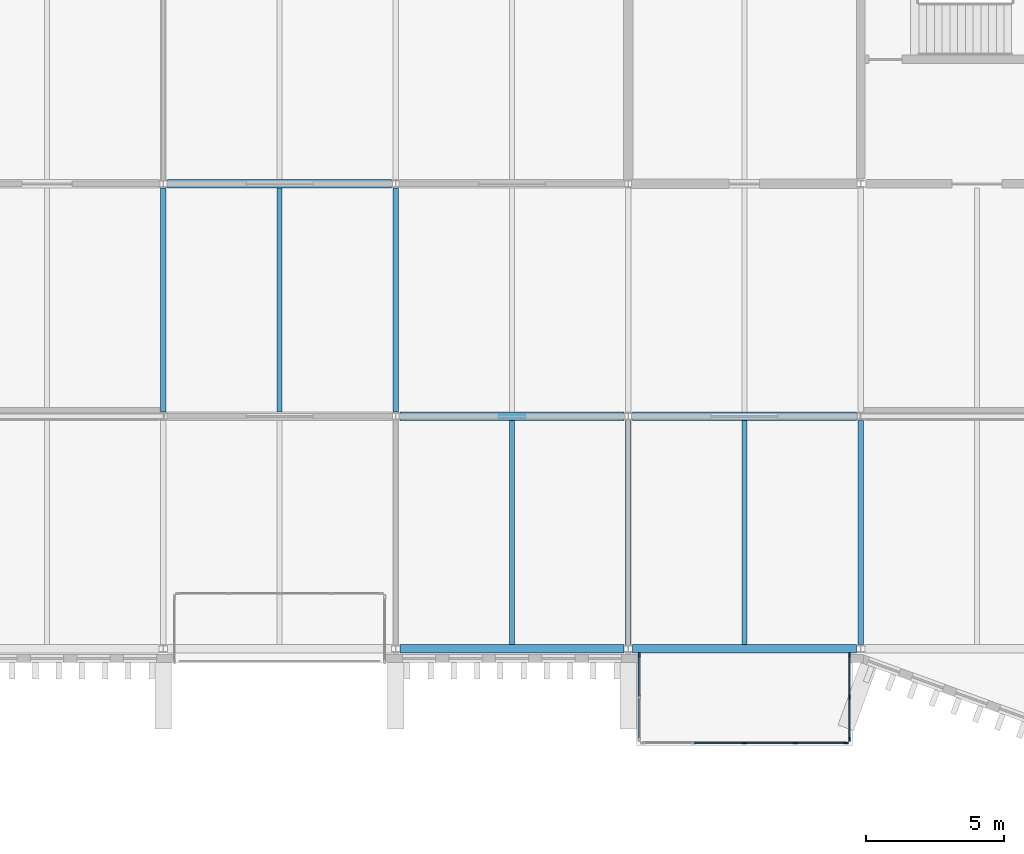
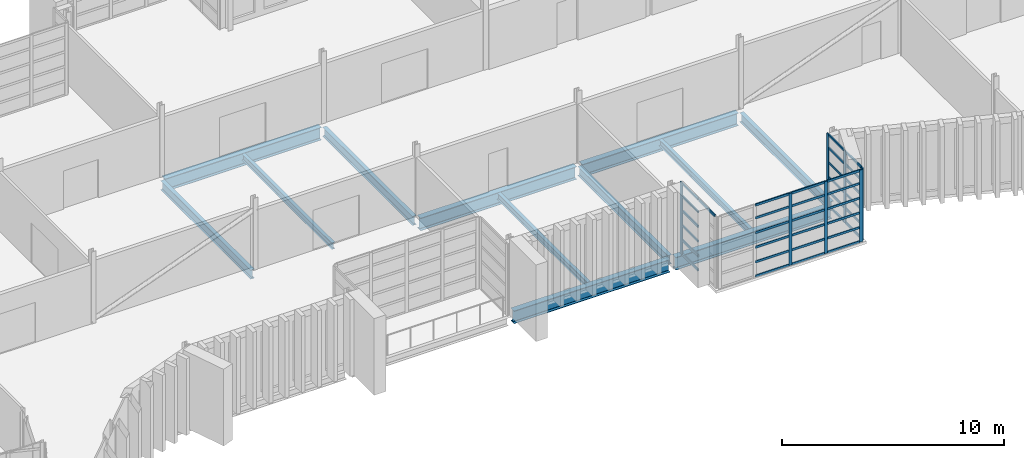
# One storey, part 25 of 88: 44 members, 12 beams, 3 elements without a shape of their own.
"""IFC4 building model written with IfcOpenShell, lengths in metres."""

from ifc_helpers import new_model, si_unit, direction, frame, origin, origin_2d, place, context, subcontext, project, spatial, rectangle, i_section, extrude, material, layer, layer_set, material_profile, profile_set, type_object, element, aggregate, save


model = new_model("IFC4")

# Units and contexts
model_context = context("Model", 3, precision=1e-05, world=origin(), true_north=direction((0.0, 1.0)))
body_context = subcontext(model_context, "Body", "Model", "MODEL_VIEW")
ifc_project = project(units=[si_unit("LENGTHUNIT", "METRE"), si_unit("AREAUNIT", "SQUARE_METRE"), si_unit("VOLUMEUNIT", "CUBIC_METRE"), si_unit("PLANEANGLEUNIT", "RADIAN"), si_unit("MASSUNIT", "GRAM", prefix="KILO")], contexts=[model_context])

# Site, building, storey
site_placement = place(None, origin())
site = spatial("IfcSite", under=ifc_project, at=site_placement, CompositionType="ELEMENT")
building_placement = place(site_placement, origin())
building = spatial("IfcBuilding", under=site, at=building_placement, Name="Cresset Court Congress Hotel", CompositionType="ELEMENT")
storey_placement = place(building_placement, frame((0.0, 0.0, 14.39990234375)))
storey = spatial("IfcBuildingStorey", under=building, at=storey_placement, Name="L03", CompositionType="ELEMENT", Elevation=14.39990234375)

# Curtain wall, members
ifc_material_1 = material(Name="Aluminium frame with double glazing", Category="aluminium")
ifc_layer = layer(ifc_material_1, 0.199951171875)
ifc_layer_set = layer_set([ifc_layer], Name="Glazed box curtain wall 1680 module")
curtain_wall_type = type_object("IfcCurtainWallType", Name="Glazed box curtain wall 1680 module", PredefinedType="NOTDEFINED", material=ifc_layer_set)
curtain_wall_1_placement = place(storey_placement, origin())
curtain_wall_1 = element("IfcCurtainWall", 1, at=curtain_wall_1_placement, inside=storey, type_object=curtain_wall_type, Name="Glazed box S0314 front", PredefinedType="NOTDEFINED")
ifc_material_2 = material(Name="Aluminium", Category="aluminium")
ifc_material_profile_1 = material_profile(ifc_material_2, rectangle(XDim=0.06005859375, YDim=0.159912109375, at=origin_2d()), Name="Box mullion 60x160")
ifc_profile_set_1 = profile_set([ifc_material_profile_1], Name="Aluminium")
member_type_1 = type_object("IfcMemberType", Name="Box mullion 60x160", PredefinedType="MULLION", material=ifc_profile_set_1)
member_1_placement = place(storey_placement, frame((96.60009765625, -3.39990234375, 0.0), z_axis=(0.0, 0.0, 1.0), x_axis=(0.0, 1.0, 0.0)))
member_1 = element("IfcMember", 2, at=member_1_placement, type_object=member_type_1, Name="B-X1 mullion 3", PredefinedType="MULLION", context=body_context, shape_type="SweptSolid", body=[
    extrude(rectangle(XDim=0.06005859375, YDim=0.159912109375, at=origin_2d()), origin(), (0.0, 0.0, 1.0), 3.9501953125),
])
member_2_placement = place(storey_placement, frame((98.449951171875, -3.39990234375, 0.0), z_axis=(0.0, 0.0, 1.0), x_axis=(0.0, 1.0, 0.0)))
member_2 = element("IfcMember", 3, at=member_2_placement, type_object=member_type_1, Name="B-X1 mullion 4", PredefinedType="MULLION", context=body_context, shape_type="SweptSolid", body=[
    extrude(rectangle(XDim=0.06005859375, YDim=0.159912109375, at=origin_2d()), origin(), (0.0, 0.0, 1.0), 3.9501953125),
])
member_3_placement = place(storey_placement, frame((100.27001953125, -3.39990234375, 0.0), z_axis=(0.0, 0.0, 1.0), x_axis=(0.0, 1.0, 0.0)))
member_3 = element("IfcMember", 4, at=member_3_placement, type_object=member_type_1, Name="B-X1 mullion 5", PredefinedType="MULLION", context=body_context, shape_type="SweptSolid", body=[
    extrude(rectangle(XDim=0.06005859375, YDim=0.159912109375, at=origin_2d()), origin(), (0.0, 0.0, 1.0), 3.9501953125),
])

# Curtain wall, member
curtain_wall_2_placement = place(storey_placement, origin())
curtain_wall_2 = element("IfcCurtainWall", 5, at=curtain_wall_2_placement, inside=storey, type_object=curtain_wall_type, Name="Glazed box S0314 side", PredefinedType="NOTDEFINED")
member_4_placement = place(storey_placement, frame((92.800048828125, -0.22998046875, 0.0), z_axis=(0.0, 0.0, 1.0), x_axis=(1.0, 0.0, 0.0)))
member_4 = element("IfcMember", 6, at=member_4_placement, type_object=member_type_1, Name="B-X1 mullion 1", PredefinedType="MULLION", context=body_context, shape_type="SweptSolid", body=[
    extrude(rectangle(XDim=0.06005859375, YDim=0.159912109375, at=origin_2d()), origin(), (0.0, 0.0, 1.0), 3.9501953125),
])

# Curtain wall, members
curtain_wall_3_placement = place(storey_placement, origin())
curtain_wall_3 = element("IfcCurtainWall", 7, at=curtain_wall_3_placement, inside=storey, type_object=curtain_wall_type, Name="Glazed box S0314 side", PredefinedType="NOTDEFINED")
member_5_placement = place(storey_placement, frame((100.39990234375, -0.22998046875, 0.0), z_axis=(0.0, 0.0, 1.0), x_axis=(1.0, 0.0, 0.0)))
member_5 = element("IfcMember", 8, at=member_5_placement, type_object=member_type_1, Name="B-X1 mullion 1", PredefinedType="MULLION", context=body_context, shape_type="SweptSolid", body=[
    extrude(rectangle(XDim=0.06005859375, YDim=0.159912109375, at=origin_2d()), origin(), (0.0, 0.0, 1.0), 3.9501953125),
])
member_6_placement = place(storey_placement, frame((100.39990234375, -1.75, 0.0), z_axis=(0.0, 0.0, 1.0), x_axis=(1.0, 0.0, 0.0)))
member_6 = element("IfcMember", 9, at=member_6_placement, type_object=member_type_1, Name="B-X1 mullion 2", PredefinedType="MULLION", context=body_context, shape_type="SweptSolid", body=[
    extrude(rectangle(XDim=0.06005859375, YDim=0.159912109375, at=origin_2d()), origin(), (0.0, 0.0, 1.0), 3.9501953125),
])
member_7_placement = place(storey_placement, frame((100.39990234375, -3.27001953125, 0.0), z_axis=(0.0, 0.0, 1.0), x_axis=(1.0, 0.0, 0.0)))
member_7 = element("IfcMember", 10, at=member_7_placement, type_object=member_type_1, Name="B-X1 mullion 3", PredefinedType="MULLION", context=body_context, shape_type="SweptSolid", body=[
    extrude(rectangle(XDim=0.06005859375, YDim=0.159912109375, at=origin_2d()), origin(), (0.0, 0.0, 1.0), 3.9501953125),
])

# Member
ifc_material_3 = material(Name="Aluminium", Category="aluminium")
ifc_material_profile_2 = material_profile(ifc_material_3, rectangle(XDim=0.06005859375, YDim=0.1201171875, at=origin_2d()), Name="Box transom 60x120")
ifc_profile_set_2 = profile_set([ifc_material_profile_2], Name="Aluminium")
member_type_2 = type_object("IfcMemberType", Name="Box transom 60x120", PredefinedType="USERDEFINED", material=ifc_profile_set_2)
member_8_placement = place(storey_placement, frame((94.780029296875, -3.39990234375, 0.030029296875), z_axis=(1.0, 0.0, 0.0), x_axis=(0.0, 1.0, 0.0)))
member_8 = element("IfcMember", 11, at=member_8_placement, type_object=member_type_2, Name="B-X1 transom 2.1", ObjectType="TRANSOM", PredefinedType="USERDEFINED", context=body_context, shape_type="SweptSolid", body=[
    extrude(rectangle(XDim=0.06005859375, YDim=0.1201171875, at=origin_2d()), origin(), (0.0, 0.0, 1.0), 1.7900390625),
])

member_9_placement = place(storey_placement, frame((94.780029296875, -3.39990234375, 0.80517578125), z_axis=(1.0, 0.0, 0.0), x_axis=(0.0, 1.0, 0.0)))
member_9 = element("IfcMember", 12, at=member_9_placement, type_object=member_type_2, Name="B-X1 transom 2.2", ObjectType="TRANSOM", PredefinedType="USERDEFINED", context=body_context, shape_type="SweptSolid", body=[
    extrude(rectangle(XDim=0.06005859375, YDim=0.1201171875, at=origin_2d()), origin(), (0.0, 0.0, 1.0), 1.7900390625),
])

member_10_placement = place(storey_placement, frame((94.780029296875, -3.39990234375, 1.610107421875), z_axis=(1.0, 0.0, 0.0), x_axis=(0.0, 1.0, 0.0)))
member_10 = element("IfcMember", 13, at=member_10_placement, type_object=member_type_2, Name="B-X1 transom 2.3", ObjectType="TRANSOM", PredefinedType="USERDEFINED", context=body_context, shape_type="SweptSolid", body=[
    extrude(rectangle(XDim=0.06005859375, YDim=0.1201171875, at=origin_2d()), origin(), (0.0, 0.0, 1.0), 1.7900390625),
])

member_11_placement = place(storey_placement, frame((94.780029296875, -3.39990234375, 2.4150390625), z_axis=(1.0, 0.0, 0.0), x_axis=(0.0, 1.0, 0.0)))
member_11 = element("IfcMember", 14, at=member_11_placement, type_object=member_type_2, Name="B-X1 transom 2.4", ObjectType="TRANSOM", PredefinedType="USERDEFINED", context=body_context, shape_type="SweptSolid", body=[
    extrude(rectangle(XDim=0.06005859375, YDim=0.1201171875, at=origin_2d()), origin(), (0.0, 0.0, 1.0), 1.7900390625),
])

member_12_placement = place(storey_placement, frame((94.780029296875, -3.39990234375, 3.22021484375), z_axis=(1.0, 0.0, 0.0), x_axis=(0.0, 1.0, 0.0)))
member_12 = element("IfcMember", 15, at=member_12_placement, type_object=member_type_2, Name="B-X1 transom 2.5", ObjectType="TRANSOM", PredefinedType="USERDEFINED", context=body_context, shape_type="SweptSolid", body=[
    extrude(rectangle(XDim=0.06005859375, YDim=0.1201171875, at=origin_2d()), origin(), (0.0, 0.0, 1.0), 1.7900390625),
])

member_13_placement = place(storey_placement, frame((94.780029296875, -3.39990234375, 3.920166015625), z_axis=(1.0, 0.0, 0.0), x_axis=(0.0, 1.0, 0.0)))
member_13 = element("IfcMember", 16, at=member_13_placement, type_object=member_type_2, Name="B-X1 transom 2.6", ObjectType="TRANSOM", PredefinedType="USERDEFINED", context=body_context, shape_type="SweptSolid", body=[
    extrude(rectangle(XDim=0.06005859375, YDim=0.1201171875, at=origin_2d()), origin(), (0.0, 0.0, 1.0), 1.7900390625),
])

member_14_placement = place(storey_placement, frame((96.6298828125, -3.39990234375, 0.030029296875), z_axis=(1.0, 0.0, 0.0), x_axis=(0.0, 1.0, 0.0)))
member_14 = element("IfcMember", 17, at=member_14_placement, type_object=member_type_2, Name="B-X1 transom 3.1", ObjectType="TRANSOM", PredefinedType="USERDEFINED", context=body_context, shape_type="SweptSolid", body=[
    extrude(rectangle(XDim=0.06005859375, YDim=0.1201171875, at=origin_2d()), origin(), (0.0, 0.0, 1.0), 1.7900390625),
])

member_15_placement = place(storey_placement, frame((96.6298828125, -3.39990234375, 0.80517578125), z_axis=(1.0, 0.0, 0.0), x_axis=(0.0, 1.0, 0.0)))
member_15 = element("IfcMember", 18, at=member_15_placement, type_object=member_type_2, Name="B-X1 transom 3.2", ObjectType="TRANSOM", PredefinedType="USERDEFINED", context=body_context, shape_type="SweptSolid", body=[
    extrude(rectangle(XDim=0.06005859375, YDim=0.1201171875, at=origin_2d()), origin(), (0.0, 0.0, 1.0), 1.7900390625),
])

member_16_placement = place(storey_placement, frame((96.6298828125, -3.39990234375, 1.610107421875), z_axis=(1.0, 0.0, 0.0), x_axis=(0.0, 1.0, 0.0)))
member_16 = element("IfcMember", 19, at=member_16_placement, type_object=member_type_2, Name="B-X1 transom 3.3", ObjectType="TRANSOM", PredefinedType="USERDEFINED", context=body_context, shape_type="SweptSolid", body=[
    extrude(rectangle(XDim=0.06005859375, YDim=0.1201171875, at=origin_2d()), origin(), (0.0, 0.0, 1.0), 1.7900390625),
])

member_17_placement = place(storey_placement, frame((96.6298828125, -3.39990234375, 2.4150390625), z_axis=(1.0, 0.0, 0.0), x_axis=(0.0, 1.0, 0.0)))
member_17 = element("IfcMember", 20, at=member_17_placement, type_object=member_type_2, Name="B-X1 transom 3.4", ObjectType="TRANSOM", PredefinedType="USERDEFINED", context=body_context, shape_type="SweptSolid", body=[
    extrude(rectangle(XDim=0.06005859375, YDim=0.1201171875, at=origin_2d()), origin(), (0.0, 0.0, 1.0), 1.7900390625),
])

member_18_placement = place(storey_placement, frame((96.6298828125, -3.39990234375, 3.22021484375), z_axis=(1.0, 0.0, 0.0), x_axis=(0.0, 1.0, 0.0)))
member_18 = element("IfcMember", 21, at=member_18_placement, type_object=member_type_2, Name="B-X1 transom 3.5", ObjectType="TRANSOM", PredefinedType="USERDEFINED", context=body_context, shape_type="SweptSolid", body=[
    extrude(rectangle(XDim=0.06005859375, YDim=0.1201171875, at=origin_2d()), origin(), (0.0, 0.0, 1.0), 1.7900390625),
])

member_19_placement = place(storey_placement, frame((96.6298828125, -3.39990234375, 3.920166015625), z_axis=(1.0, 0.0, 0.0), x_axis=(0.0, 1.0, 0.0)))
member_19 = element("IfcMember", 22, at=member_19_placement, type_object=member_type_2, Name="B-X1 transom 3.6", ObjectType="TRANSOM", PredefinedType="USERDEFINED", context=body_context, shape_type="SweptSolid", body=[
    extrude(rectangle(XDim=0.06005859375, YDim=0.1201171875, at=origin_2d()), origin(), (0.0, 0.0, 1.0), 1.7900390625),
])

member_20_placement = place(storey_placement, frame((98.47998046875, -3.39990234375, 0.030029296875), z_axis=(1.0, 0.0, 0.0), x_axis=(0.0, 1.0, 0.0)))
member_20 = element("IfcMember", 23, at=member_20_placement, type_object=member_type_2, Name="B-X1 transom 4.1", ObjectType="TRANSOM", PredefinedType="USERDEFINED", context=body_context, shape_type="SweptSolid", body=[
    extrude(rectangle(XDim=0.06005859375, YDim=0.1201171875, at=origin_2d()), origin(), (0.0, 0.0, 1.0), 1.760009765625),
])

member_21_placement = place(storey_placement, frame((98.47998046875, -3.39990234375, 0.80517578125), z_axis=(1.0, 0.0, 0.0), x_axis=(0.0, 1.0, 0.0)))
member_21 = element("IfcMember", 24, at=member_21_placement, type_object=member_type_2, Name="B-X1 transom 4.2", ObjectType="TRANSOM", PredefinedType="USERDEFINED", context=body_context, shape_type="SweptSolid", body=[
    extrude(rectangle(XDim=0.06005859375, YDim=0.1201171875, at=origin_2d()), origin(), (0.0, 0.0, 1.0), 1.760009765625),
])

member_22_placement = place(storey_placement, frame((98.47998046875, -3.39990234375, 1.610107421875), z_axis=(1.0, 0.0, 0.0), x_axis=(0.0, 1.0, 0.0)))
member_22 = element("IfcMember", 25, at=member_22_placement, type_object=member_type_2, Name="B-X1 transom 4.3", ObjectType="TRANSOM", PredefinedType="USERDEFINED", context=body_context, shape_type="SweptSolid", body=[
    extrude(rectangle(XDim=0.06005859375, YDim=0.1201171875, at=origin_2d()), origin(), (0.0, 0.0, 1.0), 1.760009765625),
])

member_23_placement = place(storey_placement, frame((98.47998046875, -3.39990234375, 2.4150390625), z_axis=(1.0, 0.0, 0.0), x_axis=(0.0, 1.0, 0.0)))
member_23 = element("IfcMember", 26, at=member_23_placement, type_object=member_type_2, Name="B-X1 transom 4.4", ObjectType="TRANSOM", PredefinedType="USERDEFINED", context=body_context, shape_type="SweptSolid", body=[
    extrude(rectangle(XDim=0.06005859375, YDim=0.1201171875, at=origin_2d()), origin(), (0.0, 0.0, 1.0), 1.760009765625),
])

member_24_placement = place(storey_placement, frame((98.47998046875, -3.39990234375, 3.22021484375), z_axis=(1.0, 0.0, 0.0), x_axis=(0.0, 1.0, 0.0)))
member_24 = element("IfcMember", 27, at=member_24_placement, type_object=member_type_2, Name="B-X1 transom 4.5", ObjectType="TRANSOM", PredefinedType="USERDEFINED", context=body_context, shape_type="SweptSolid", body=[
    extrude(rectangle(XDim=0.06005859375, YDim=0.1201171875, at=origin_2d()), origin(), (0.0, 0.0, 1.0), 1.760009765625),
])

member_25_placement = place(storey_placement, frame((98.47998046875, -3.39990234375, 3.920166015625), z_axis=(1.0, 0.0, 0.0), x_axis=(0.0, 1.0, 0.0)))
member_25 = element("IfcMember", 28, at=member_25_placement, type_object=member_type_2, Name="B-X1 transom 4.6", ObjectType="TRANSOM", PredefinedType="USERDEFINED", context=body_context, shape_type="SweptSolid", body=[
    extrude(rectangle(XDim=0.06005859375, YDim=0.1201171875, at=origin_2d()), origin(), (0.0, 0.0, 1.0), 1.760009765625),
])

aggregate(curtain_wall_1, [member_1, member_2, member_3, member_8, member_9, member_10, member_11, member_12, member_13, member_14, member_15, member_16, member_17, member_18, member_19, member_20, member_21, member_22, member_23, member_24, member_25])

member_26_placement = place(storey_placement, frame((92.800048828125, -0.260009765625, 0.030029296875), z_axis=(0.0, -1.0, 0.0), x_axis=(1.0, 0.0, 0.0)))
member_26 = element("IfcMember", 29, at=member_26_placement, type_object=member_type_2, Name="B-X1 transom 1.1", ObjectType="TRANSOM", PredefinedType="USERDEFINED", context=body_context, shape_type="SweptSolid", body=[
    extrude(rectangle(XDim=0.06005859375, YDim=0.1201171875, at=origin_2d()), origin(), (0.0, 0.0, 1.0), 1.4599609375),
])

member_27_placement = place(storey_placement, frame((92.800048828125, -0.260009765625, 0.80517578125), z_axis=(0.0, -1.0, 0.0), x_axis=(1.0, 0.0, 0.0)))
member_27 = element("IfcMember", 30, at=member_27_placement, type_object=member_type_2, Name="B-X1 transom 1.2", ObjectType="TRANSOM", PredefinedType="USERDEFINED", context=body_context, shape_type="SweptSolid", body=[
    extrude(rectangle(XDim=0.06005859375, YDim=0.1201171875, at=origin_2d()), origin(), (0.0, 0.0, 1.0), 1.4599609375),
])

member_28_placement = place(storey_placement, frame((92.800048828125, -0.260009765625, 1.610107421875), z_axis=(0.0, -1.0, 0.0), x_axis=(1.0, 0.0, 0.0)))
member_28 = element("IfcMember", 31, at=member_28_placement, type_object=member_type_2, Name="B-X1 transom 1.3", ObjectType="TRANSOM", PredefinedType="USERDEFINED", context=body_context, shape_type="SweptSolid", body=[
    extrude(rectangle(XDim=0.06005859375, YDim=0.1201171875, at=origin_2d()), origin(), (0.0, 0.0, 1.0), 1.4599609375),
])

member_29_placement = place(storey_placement, frame((92.800048828125, -0.260009765625, 2.4150390625), z_axis=(0.0, -1.0, 0.0), x_axis=(1.0, 0.0, 0.0)))
member_29 = element("IfcMember", 32, at=member_29_placement, type_object=member_type_2, Name="B-X1 transom 1.4", ObjectType="TRANSOM", PredefinedType="USERDEFINED", context=body_context, shape_type="SweptSolid", body=[
    extrude(rectangle(XDim=0.06005859375, YDim=0.1201171875, at=origin_2d()), origin(), (0.0, 0.0, 1.0), 1.4599609375),
])

member_30_placement = place(storey_placement, frame((92.800048828125, -0.260009765625, 3.22021484375), z_axis=(0.0, -1.0, 0.0), x_axis=(1.0, 0.0, 0.0)))
member_30 = element("IfcMember", 33, at=member_30_placement, type_object=member_type_2, Name="B-X1 transom 1.5", ObjectType="TRANSOM", PredefinedType="USERDEFINED", context=body_context, shape_type="SweptSolid", body=[
    extrude(rectangle(XDim=0.06005859375, YDim=0.1201171875, at=origin_2d()), origin(), (0.0, 0.0, 1.0), 1.4599609375),
])

member_31_placement = place(storey_placement, frame((92.800048828125, -0.260009765625, 3.920166015625), z_axis=(0.0, -1.0, 0.0), x_axis=(1.0, 0.0, 0.0)))
member_31 = element("IfcMember", 34, at=member_31_placement, type_object=member_type_2, Name="B-X1 transom 1.6", ObjectType="TRANSOM", PredefinedType="USERDEFINED", context=body_context, shape_type="SweptSolid", body=[
    extrude(rectangle(XDim=0.06005859375, YDim=0.1201171875, at=origin_2d()), origin(), (0.0, 0.0, 1.0), 1.4599609375),
])

member_32_placement = place(storey_placement, frame((92.800048828125, -1.780029296875, 3.920166015625), z_axis=(0.0, -1.0, 0.0), x_axis=(1.0, 0.0, 0.0)))
member_32 = element("IfcMember", 35, at=member_32_placement, type_object=member_type_2, Name="B-X1 transom 2.6", ObjectType="TRANSOM", PredefinedType="USERDEFINED", context=body_context, shape_type="SweptSolid", body=[
    extrude(rectangle(XDim=0.06005859375, YDim=0.1201171875, at=origin_2d()), origin(), (0.0, 0.0, 1.0), 1.4599609375),
])

aggregate(curtain_wall_2, [member_4, member_26, member_27, member_28, member_29, member_30, member_31, member_32])

member_33_placement = place(storey_placement, frame((100.39990234375, -0.260009765625, 0.030029296875), z_axis=(0.0, -1.0, 0.0), x_axis=(1.0, 0.0, 0.0)))
member_33 = element("IfcMember", 36, at=member_33_placement, type_object=member_type_2, Name="B-X1 transom 1.1", ObjectType="TRANSOM", PredefinedType="USERDEFINED", context=body_context, shape_type="SweptSolid", body=[
    extrude(rectangle(XDim=0.06005859375, YDim=0.1201171875, at=origin_2d()), origin(), (0.0, 0.0, 1.0), 1.4599609375),
])

member_34_placement = place(storey_placement, frame((100.39990234375, -0.260009765625, 0.80517578125), z_axis=(0.0, -1.0, 0.0), x_axis=(1.0, 0.0, 0.0)))
member_34 = element("IfcMember", 37, at=member_34_placement, type_object=member_type_2, Name="B-X1 transom 1.2", ObjectType="TRANSOM", PredefinedType="USERDEFINED", context=body_context, shape_type="SweptSolid", body=[
    extrude(rectangle(XDim=0.06005859375, YDim=0.1201171875, at=origin_2d()), origin(), (0.0, 0.0, 1.0), 1.4599609375),
])

member_35_placement = place(storey_placement, frame((100.39990234375, -0.260009765625, 1.610107421875), z_axis=(0.0, -1.0, 0.0), x_axis=(1.0, 0.0, 0.0)))
member_35 = element("IfcMember", 38, at=member_35_placement, type_object=member_type_2, Name="B-X1 transom 1.3", ObjectType="TRANSOM", PredefinedType="USERDEFINED", context=body_context, shape_type="SweptSolid", body=[
    extrude(rectangle(XDim=0.06005859375, YDim=0.1201171875, at=origin_2d()), origin(), (0.0, 0.0, 1.0), 1.4599609375),
])

member_36_placement = place(storey_placement, frame((100.39990234375, -0.260009765625, 2.4150390625), z_axis=(0.0, -1.0, 0.0), x_axis=(1.0, 0.0, 0.0)))
member_36 = element("IfcMember", 39, at=member_36_placement, type_object=member_type_2, Name="B-X1 transom 1.4", ObjectType="TRANSOM", PredefinedType="USERDEFINED", context=body_context, shape_type="SweptSolid", body=[
    extrude(rectangle(XDim=0.06005859375, YDim=0.1201171875, at=origin_2d()), origin(), (0.0, 0.0, 1.0), 1.4599609375),
])

member_37_placement = place(storey_placement, frame((100.39990234375, -0.260009765625, 3.22021484375), z_axis=(0.0, -1.0, 0.0), x_axis=(1.0, 0.0, 0.0)))
member_37 = element("IfcMember", 40, at=member_37_placement, type_object=member_type_2, Name="B-X1 transom 1.5", ObjectType="TRANSOM", PredefinedType="USERDEFINED", context=body_context, shape_type="SweptSolid", body=[
    extrude(rectangle(XDim=0.06005859375, YDim=0.1201171875, at=origin_2d()), origin(), (0.0, 0.0, 1.0), 1.4599609375),
])

member_38_placement = place(storey_placement, frame((100.39990234375, -0.260009765625, 3.920166015625), z_axis=(0.0, -1.0, 0.0), x_axis=(1.0, 0.0, 0.0)))
member_38 = element("IfcMember", 41, at=member_38_placement, type_object=member_type_2, Name="B-X1 transom 1.6", ObjectType="TRANSOM", PredefinedType="USERDEFINED", context=body_context, shape_type="SweptSolid", body=[
    extrude(rectangle(XDim=0.06005859375, YDim=0.1201171875, at=origin_2d()), origin(), (0.0, 0.0, 1.0), 1.4599609375),
])

member_39_placement = place(storey_placement, frame((100.39990234375, -1.780029296875, 0.030029296875), z_axis=(0.0, -1.0, 0.0), x_axis=(1.0, 0.0, 0.0)))
member_39 = element("IfcMember", 42, at=member_39_placement, type_object=member_type_2, Name="B-X1 transom 2.1", ObjectType="TRANSOM", PredefinedType="USERDEFINED", context=body_context, shape_type="SweptSolid", body=[
    extrude(rectangle(XDim=0.06005859375, YDim=0.1201171875, at=origin_2d()), origin(), (0.0, 0.0, 1.0), 1.4599609375),
])

member_40_placement = place(storey_placement, frame((100.39990234375, -1.780029296875, 0.80517578125), z_axis=(0.0, -1.0, 0.0), x_axis=(1.0, 0.0, 0.0)))
member_40 = element("IfcMember", 43, at=member_40_placement, type_object=member_type_2, Name="B-X1 transom 2.2", ObjectType="TRANSOM", PredefinedType="USERDEFINED", context=body_context, shape_type="SweptSolid", body=[
    extrude(rectangle(XDim=0.06005859375, YDim=0.1201171875, at=origin_2d()), origin(), (0.0, 0.0, 1.0), 1.4599609375),
])

member_41_placement = place(storey_placement, frame((100.39990234375, -1.780029296875, 1.610107421875), z_axis=(0.0, -1.0, 0.0), x_axis=(1.0, 0.0, 0.0)))
member_41 = element("IfcMember", 44, at=member_41_placement, type_object=member_type_2, Name="B-X1 transom 2.3", ObjectType="TRANSOM", PredefinedType="USERDEFINED", context=body_context, shape_type="SweptSolid", body=[
    extrude(rectangle(XDim=0.06005859375, YDim=0.1201171875, at=origin_2d()), origin(), (0.0, 0.0, 1.0), 1.4599609375),
])

member_42_placement = place(storey_placement, frame((100.39990234375, -1.780029296875, 2.4150390625), z_axis=(0.0, -1.0, 0.0), x_axis=(1.0, 0.0, 0.0)))
member_42 = element("IfcMember", 45, at=member_42_placement, type_object=member_type_2, Name="B-X1 transom 2.4", ObjectType="TRANSOM", PredefinedType="USERDEFINED", context=body_context, shape_type="SweptSolid", body=[
    extrude(rectangle(XDim=0.06005859375, YDim=0.1201171875, at=origin_2d()), origin(), (0.0, 0.0, 1.0), 1.4599609375),
])

member_43_placement = place(storey_placement, frame((100.39990234375, -1.780029296875, 3.22021484375), z_axis=(0.0, -1.0, 0.0), x_axis=(1.0, 0.0, 0.0)))
member_43 = element("IfcMember", 46, at=member_43_placement, type_object=member_type_2, Name="B-X1 transom 2.5", ObjectType="TRANSOM", PredefinedType="USERDEFINED", context=body_context, shape_type="SweptSolid", body=[
    extrude(rectangle(XDim=0.06005859375, YDim=0.1201171875, at=origin_2d()), origin(), (0.0, 0.0, 1.0), 1.4599609375),
])

member_44_placement = place(storey_placement, frame((100.39990234375, -1.780029296875, 3.920166015625), z_axis=(0.0, -1.0, 0.0), x_axis=(1.0, 0.0, 0.0)))
member_44 = element("IfcMember", 47, at=member_44_placement, type_object=member_type_2, Name="B-X1 transom 2.6", ObjectType="TRANSOM", PredefinedType="USERDEFINED", context=body_context, shape_type="SweptSolid", body=[
    extrude(rectangle(XDim=0.06005859375, YDim=0.1201171875, at=origin_2d()), origin(), (0.0, 0.0, 1.0), 1.4599609375),
])

aggregate(curtain_wall_3, [member_5, member_6, member_7, member_33, member_34, member_35, member_36, member_37, member_38, member_39, member_40, member_41, member_42, member_43, member_44])

# Beams
ifc_material_4 = material(Name="Structural steel Q355B", Category="steel")
ifc_material_profile_3 = material_profile(ifc_material_4, i_section(OverallWidth=0.199951171875, OverallDepth=0.5, WebThickness=0.010009765625, FlangeThickness=0.01611328125, FilletRadius=0.012939453125, at=origin_2d()), Name="HN500x200x10x16")
ifc_profile_set_3 = profile_set([ifc_material_profile_3], Name="Structural steel Q355B")
beam_type_1 = type_object("IfcBeamType", Name="Steel beam HN500x200x10x16", PredefinedType="BEAM", material=ifc_profile_set_3)
for number, where, z_axis, x_axis, name in (
    (48, (75.60009765625, 8.550048828125, -0.39990234375), (0.0, 1.0, 0.0), (-1.0, 0.0, 0.0), "B.by.L03.10B"),
    (49, (84.0, 8.550048828125, -0.39990234375), (0.0, 1.0, 0.0), (-1.0, 0.0, 0.0), "B.by.L03.11B"),
):
    element("IfcBeam", number, at=place(storey_placement, frame(where, z_axis=z_axis, x_axis=x_axis)), inside=storey, type_object=beam_type_1, Name=name, PredefinedType="BEAM", context=body_context, shape_type="SweptSolid", body=[
        extrude(i_section(OverallWidth=0.199951171875, OverallDepth=0.5, WebThickness=0.010009765625, FlangeThickness=0.01611328125, FilletRadius=0.012939453125, at=origin_2d()), origin(), (0.0, 0.0, 1.0), 8.099853515625),
    ])
for number, where, z_axis, x_axis, name in (
    (50, (92.39990234375, 0.14990234375, -0.39990234375), (0.0, 1.0, 0.0), (-1.0, 0.0, 0.0), "B.by.L03.12A"),
    (51, (100.800048828125, 0.14990234375, -0.39990234375), (0.0, 1.0, 0.0), (-1.0, 0.0, 0.0), "B.by.L03.13A"),
):
    element("IfcBeam", number, at=place(storey_placement, frame(where, z_axis=z_axis, x_axis=x_axis)), inside=storey, type_object=beam_type_1, Name=name, PredefinedType="BEAM", context=body_context, shape_type="SweptSolid", body=[
        extrude(i_section(OverallWidth=0.199951171875, OverallDepth=0.5, WebThickness=0.010009765625, FlangeThickness=0.01611328125, FilletRadius=0.012939453125, at=origin_2d()), origin(), (0.0, 0.0, 1.0), 8.10009765625),
    ])
ifc_material_5 = material(Name="Structural steel Q355B", Category="steel")
ifc_material_profile_4 = material_profile(ifc_material_5, i_section(OverallWidth=0.300048828125, OverallDepth=0.699951171875, WebThickness=0.012939453125, FlangeThickness=0.02392578125, FilletRadius=0.01806640625, at=origin_2d()), Name="HN700x300x13x24")
ifc_profile_set_4 = profile_set([ifc_material_profile_4], Name="Structural steel Q355B")
beam_type_2 = type_object("IfcBeamType", Name="Steel beam HN700x300x13x24", PredefinedType="BEAM", material=ifc_profile_set_4)
beam_1_placement = place(storey_placement, frame((84.14990234375, 0.0, -0.5), z_axis=(1.0, 0.0, 0.0), x_axis=(0.0, 1.0, 0.0)))
element("IfcBeam", 52, at=beam_1_placement, inside=storey, type_object=beam_type_2, Name="B.bx.L03.A11", PredefinedType="BEAM", context=body_context, shape_type="SweptSolid", body=[
    extrude(i_section(OverallWidth=0.300048828125, OverallDepth=0.699951171875, WebThickness=0.012939453125, FlangeThickness=0.02392578125, FilletRadius=0.01806640625, at=origin_2d()), origin(), (0.0, 0.0, 1.0), 8.10009765625),
])
beam_2_placement = place(storey_placement, frame((92.550048828125, 0.0, -0.5), z_axis=(1.0, 0.0, 0.0), x_axis=(0.0, 1.0, 0.0)))
element("IfcBeam", 53, at=beam_2_placement, inside=storey, type_object=beam_type_2, Name="B.bx.L03.A12", PredefinedType="BEAM", context=body_context, shape_type="SweptSolid", body=[
    extrude(i_section(OverallWidth=0.300048828125, OverallDepth=0.699951171875, WebThickness=0.012939453125, FlangeThickness=0.02392578125, FilletRadius=0.01806640625, at=origin_2d()), origin(), (0.0, 0.0, 1.0), 8.099853515625),
])
beam_3_placement = place(storey_placement, frame((84.14990234375, 8.39990234375, -0.5), z_axis=(1.0, 0.0, 0.0), x_axis=(0.0, 1.0, 0.0)))
element("IfcBeam", 54, at=beam_3_placement, inside=storey, type_object=beam_type_2, Name="B.bx.L03.B11", PredefinedType="BEAM", context=body_context, shape_type="SweptSolid", body=[
    extrude(i_section(OverallWidth=0.300048828125, OverallDepth=0.699951171875, WebThickness=0.012939453125, FlangeThickness=0.02392578125, FilletRadius=0.01806640625, at=origin_2d()), origin(), (0.0, 0.0, 1.0), 8.10009765625),
])
beam_4_placement = place(storey_placement, frame((92.550048828125, 8.39990234375, -0.5), z_axis=(1.0, 0.0, 0.0), x_axis=(0.0, 1.0, 0.0)))
element("IfcBeam", 55, at=beam_4_placement, inside=storey, type_object=beam_type_2, Name="B.bx.L03.B12", PredefinedType="BEAM", context=body_context, shape_type="SweptSolid", body=[
    extrude(i_section(OverallWidth=0.300048828125, OverallDepth=0.699951171875, WebThickness=0.012939453125, FlangeThickness=0.02392578125, FilletRadius=0.01806640625, at=origin_2d()), origin(), (0.0, 0.0, 1.0), 8.099853515625),
])
beam_5_placement = place(storey_placement, frame((75.75, 16.800048828125, -0.5), z_axis=(1.0, 0.0, 0.0), x_axis=(0.0, 1.0, 0.0)))
element("IfcBeam", 56, at=beam_5_placement, inside=storey, type_object=beam_type_2, Name="B.bx.L03.C10", PredefinedType="BEAM", context=body_context, shape_type="SweptSolid", body=[
    extrude(i_section(OverallWidth=0.300048828125, OverallDepth=0.699951171875, WebThickness=0.012939453125, FlangeThickness=0.02392578125, FilletRadius=0.01806640625, at=origin_2d()), origin(), (0.0, 0.0, 1.0), 8.10009765625),
])
ifc_material_6 = material(Name="Structural steel Q355B", Category="steel")
ifc_material_profile_5 = material_profile(ifc_material_6, i_section(OverallWidth=0.175048828125, OverallDepth=0.35009765625, WebThickness=0.007080078125, FlangeThickness=0.010986328125, FilletRadius=0.012939453125, at=origin_2d()), Name="HN350x175x7x11")
ifc_profile_set_5 = profile_set([ifc_material_profile_5], Name="Structural steel Q355B")
beam_type_3 = type_object("IfcBeamType", Name="Steel joist HN350x175x7x11", PredefinedType="JOIST", material=ifc_profile_set_5)
beam_6_placement = place(storey_placement, frame((79.800048828125, 8.550048828125, -0.324951171875), z_axis=(0.0, 1.0, 0.0), x_axis=(-1.0, 0.0, 0.0)))
element("IfcBeam", 57, at=beam_6_placement, inside=storey, type_object=beam_type_3, Name="B.bj.L03.10B", PredefinedType="JOIST", context=body_context, shape_type="SweptSolid", body=[
    extrude(i_section(OverallWidth=0.175048828125, OverallDepth=0.35009765625, WebThickness=0.007080078125, FlangeThickness=0.010986328125, FilletRadius=0.012939453125, at=origin_2d()), origin(), (0.0, 0.0, 1.0), 8.099853515625),
])
for number, where, z_axis, x_axis, name in (
    (58, (88.199951171875, 0.14990234375, -0.324951171875), (0.0, 1.0, 0.0), (-1.0, 0.0, 0.0), "B.bj.L03.11A"),
    (59, (96.60009765625, 0.14990234375, -0.324951171875), (0.0, 1.0, 0.0), (-1.0, 0.0, 0.0), "B.bj.L03.12A"),
):
    element("IfcBeam", number, at=place(storey_placement, frame(where, z_axis=z_axis, x_axis=x_axis)), inside=storey, type_object=beam_type_3, Name=name, PredefinedType="JOIST", context=body_context, shape_type="SweptSolid", body=[
        extrude(i_section(OverallWidth=0.175048828125, OverallDepth=0.35009765625, WebThickness=0.007080078125, FlangeThickness=0.010986328125, FilletRadius=0.012939453125, at=origin_2d()), origin(), (0.0, 0.0, 1.0), 8.10009765625),
    ])

save(model, "model.ifc")
